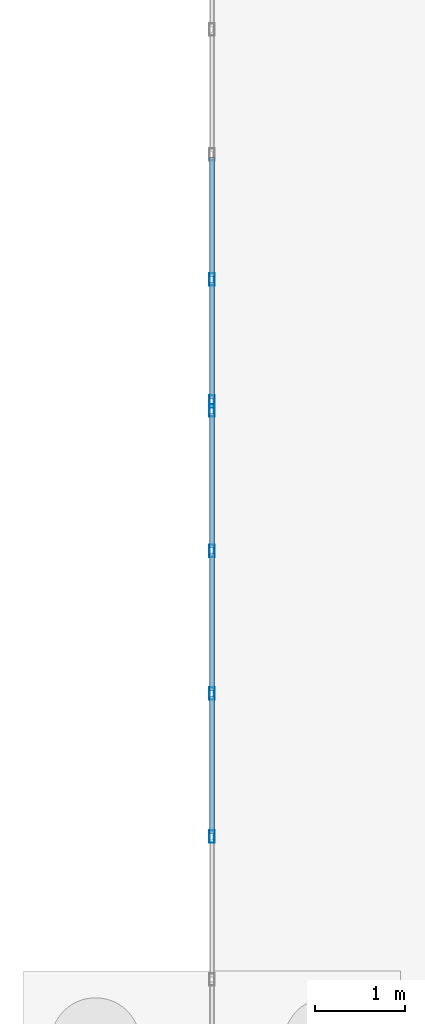
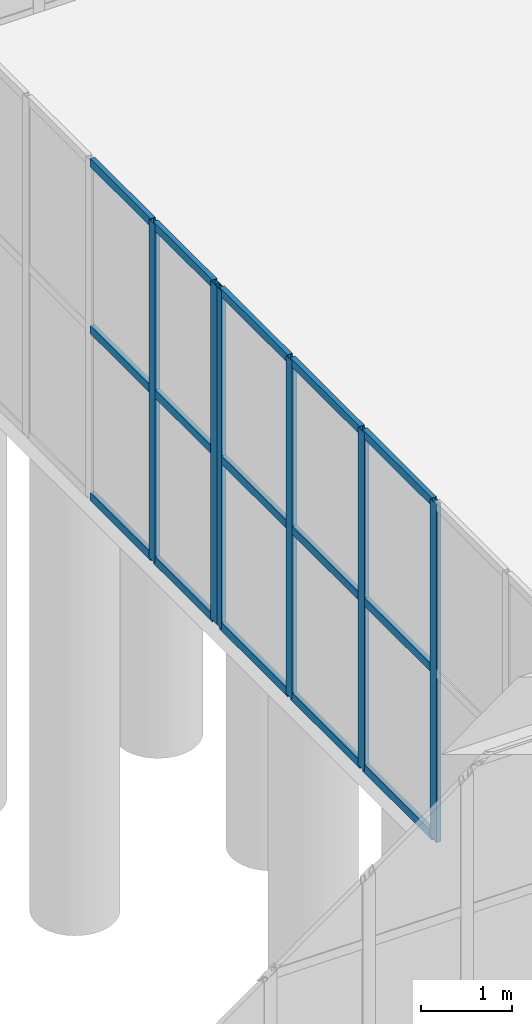
# One storey, part 106 of 192: 21 members, 2 elements without a shape of their own.
"""IFC4 building model written with IfcOpenShell, lengths in metres."""

import ifcopenshell
import ifcopenshell.guid

model = None  # the IFC model being written
_history = None  # IfcOwnerHistory: only IFC2X3 demands one
_inside = {}  # id of a spatial element -> (the spatial element, [elements in it])
_under = {}  # id of a project, library or spatial element -> (it, [spatial elements below it])
_declared = {}  # id of a project -> (the project, [libraries it declares])
_typed = {}  # id of a type object -> (the type object, [elements of that type])
_made_of = {}  # id of a material, layer set ... -> (it, [elements and type objects made of it])


def new_model(schema):
    """Start an empty IFC model of exactly this schema.

    Asked for "IFC4X3", IfcOpenShell would pick the latest addendum, in which some entities
    have other attributes; the version numbers below select the first issue.
    IFC2X3 requires an IfcOwnerHistory on every rooted entity: one is made here for all.
    """
    global model, _history
    if schema == "IFC4X3":
        model = ifcopenshell.file(schema_version=(4, 3, 0, 0))
    else:
        model = ifcopenshell.file(schema=schema)
    _inside.clear()
    _under.clear()
    _declared.clear()
    _typed.clear()
    _made_of.clear()
    _history = None
    if model.schema == "IFC2X3":
        org = make("IfcOrganization", Name="unknown")
        user = make(
            "IfcPersonAndOrganization",
            ThePerson=make("IfcPerson", FamilyName="unknown"),
            TheOrganization=org,
        )
        app = make(
            "IfcApplication",
            ApplicationDeveloper=org,
            Version="unknown",
            ApplicationFullName="unknown",
            ApplicationIdentifier="unknown",
        )
        _history = make(
            "IfcOwnerHistory",
            OwningUser=user,
            OwningApplication=app,
            ChangeAction="ADDED",
            CreationDate=0,
        )
    return model


def make(cls, **values):
    """One entity of the class cls with the attributes given. An attribute that is None is left unset."""
    return model.create_entity(
        cls, **{name: value for name, value in values.items() if value is not None}
    )


def rooted(cls, **values):
    """An entity with a GlobalId (a new one), such as an element, a storey or a relation."""
    return make(cls, GlobalId=ifcopenshell.guid.new(), OwnerHistory=_history, **values)


def si_unit(unit_type, name, prefix=None):
    """IfcSIUnit, for example si_unit("LENGTHUNIT", "METRE", prefix="MILLI")."""
    return make("IfcSIUnit", UnitType=unit_type, Prefix=prefix, Name=name)


def assignment(units):
    """IfcUnitAssignment: the units of a project."""
    return None if units is None else make("IfcUnitAssignment", Units=units)


def point(xyz):
    """IfcCartesianPoint."""
    return None if xyz is None else make("IfcCartesianPoint", Coordinates=xyz)


def direction(xyz):
    """IfcDirection."""
    return None if xyz is None else make("IfcDirection", DirectionRatios=xyz)


def frame(location, z_axis=None, x_axis=None):
    """IfcAxis2Placement3D, a coordinate frame: its origin and axes. An axis left out is left unset."""
    return make(
        "IfcAxis2Placement3D",
        Location=point(location),
        Axis=direction(z_axis),
        RefDirection=direction(x_axis),
    )


def frame_2d(location, x_axis=None):
    """IfcAxis2Placement2D, a coordinate frame in the plane: its origin and x axis."""
    return make(
        "IfcAxis2Placement2D", Location=point(location), RefDirection=direction(x_axis)
    )


def origin():
    """The frame at (0, 0, 0) with its axes left unset."""
    return frame((0.0, 0.0, 0.0))


def origin_2d():
    """The frame at (0, 0) in the plane with its x axis left unset."""
    return frame_2d((0.0, 0.0))


def place(relative_to, where):
    """IfcLocalPlacement: puts the frame where relative to a parent placement (None: the world)."""
    return make(
        "IfcLocalPlacement", PlacementRelTo=relative_to, RelativePlacement=where
    )


def context(
    kind, dimensions, precision=None, world=None, true_north=None, identifier=None
):
    """IfcGeometricRepresentationContext, for example the 3D "Model" context."""
    return make(
        "IfcGeometricRepresentationContext",
        ContextIdentifier=identifier,
        ContextType=kind,
        CoordinateSpaceDimension=dimensions,
        Precision=precision,
        WorldCoordinateSystem=world,
        TrueNorth=true_north,
    )


def subcontext(parent, identifier, kind, view, scale=None):
    """IfcGeometricRepresentationSubContext, for example "Body" below "Model"."""
    return make(
        "IfcGeometricRepresentationSubContext",
        ContextIdentifier=identifier,
        ContextType=kind,
        ParentContext=parent,
        TargetScale=scale,
        TargetView=view,
    )


def project(units=None, contexts=None):
    """IfcProject with its units and contexts."""
    return rooted(
        "IfcProject",
        Name="project",
        RepresentationContexts=contexts,
        UnitsInContext=assignment(units),
    )


def spatial(cls, under=None, at=None, **own):
    """A site, building, storey or space (cls), placed at a placement, below another one or the project."""
    s = rooted(cls, ObjectPlacement=at, **own)
    if under is not None:
        _under.setdefault(under.id(), (under, []))[1].append(s)
    return s


def profile(cls, at=None, kind="AREA", **sizes):
    """A parametric profile (cls). Its sizes go by their IFC names, for example OverallWidth=200.0."""
    return make(cls, ProfileType=kind, Position=at, **sizes)


def hollow_rectangle(**sizes):
    """IfcRectangleHollowProfileDef."""
    return profile("IfcRectangleHollowProfileDef", **sizes)


def extrude(swept, where, along, depth):
    """IfcExtrudedAreaSolid: the profile swept, set in the frame where, extruded along a direction by depth."""
    return make(
        "IfcExtrudedAreaSolid",
        SweptArea=swept,
        Position=where,
        ExtrudedDirection=direction(along),
        Depth=depth,
    )


def shape(context_of_items, identifier, shape_type, items):
    """IfcShapeRepresentation: the items that make up one representation, for example the "Body"."""
    return make(
        "IfcShapeRepresentation",
        ContextOfItems=context_of_items,
        RepresentationIdentifier=identifier,
        RepresentationType=shape_type,
        Items=items,
    )


def material(Name=None, Category=None):
    """IfcMaterial."""
    return make("IfcMaterial", Name=Name, Category=Category)


def layer(
    of_material, thickness, ventilated=None, Name=None, Category=None, Priority=None
):
    """IfcMaterialLayer: one layer of a wall or slab, of a material (None: an air gap)."""
    return make(
        "IfcMaterialLayer",
        Material=of_material,
        LayerThickness=thickness,
        IsVentilated=ventilated,
        Name=Name,
        Category=Category,
        Priority=Priority,
    )


def layer_set(layers, Name=None):
    """IfcMaterialLayerSet."""
    return make("IfcMaterialLayerSet", MaterialLayers=layers, LayerSetName=Name)


def material_profile(
    of_material, cross_section, Name=None, Category=None, Priority=None
):
    """IfcMaterialProfile: a cross section and its material."""
    return make(
        "IfcMaterialProfile",
        Name=Name,
        Material=of_material,
        Profile=cross_section,
        Priority=Priority,
        Category=Category,
    )


def profile_set(profiles, Name=None, composite=None):
    """IfcMaterialProfileSet."""
    return make(
        "IfcMaterialProfileSet",
        Name=Name,
        MaterialProfiles=profiles,
        CompositeProfile=composite,
    )


def made_of(thing, what):
    """Note that an element or type object is made of a material, layer set ...; save() writes the relation."""
    if what is not None:
        _made_of.setdefault(what.id(), (what, []))[1].append(thing)
    return thing


def type_object(cls, material=None, **own):
    """A type object (cls), such as IfcWallType, which elements share."""
    return made_of(rooted(cls, **own), material)


def element(
    cls,
    number,
    at=None,
    inside=None,
    cuts=None,
    type_object=None,
    material=None,
    context=None,
    identifier="Body",
    shape_type=None,
    held_by="IfcProductDefinitionShape",
    body=None,
    shapes=None,
    **own,
):
    """One element of the class cls, such as IfcWall. Its Tag is "e" and its number.

    at: its placement. inside: the storey or other place that contains it. cuts: it is an
    opening in that element (IfcRelVoidsElement). A single representation is given by context,
    identifier, shape_type and body (its items); several are given by shapes. held_by: the class
    of the entity that holds the representations. save() writes the other relations.
    """
    e = rooted(cls, Tag="e%d" % number, ObjectPlacement=at, **own)
    if body is not None:
        shapes = [shape(context, identifier, shape_type, body)]
    if shapes is not None:
        e.Representation = make(held_by, Representations=shapes)
    if inside is not None:
        _inside.setdefault(inside.id(), (inside, []))[1].append(e)
    if cuts is not None:
        rooted(
            "IfcRelVoidsElement", RelatingBuildingElement=cuts, RelatedOpeningElement=e
        )
    if type_object is not None:
        _typed.setdefault(type_object.id(), (type_object, []))[1].append(e)
    return made_of(e, material)


def aggregate(whole, parts):
    """IfcRelAggregates: a whole, such as a stair, and the parts it consists of."""
    return rooted("IfcRelAggregates", RelatingObject=whole, RelatedObjects=parts)


def save(model, path):
    """Write the relations noted so far, then the file.

    IfcRelAggregates (storeys below a building ...), IfcRelContainedInSpatialStructure (elements
    in a storey), IfcRelDefinesByType, IfcRelAssociatesMaterial and IfcRelDeclares: one each for
    every whole, place, type object, material and project.
    """
    for whole, parts in _under.values():
        aggregate(whole, parts)
    for where, things in _inside.values():
        rooted(
            "IfcRelContainedInSpatialStructure",
            RelatedElements=things,
            RelatingStructure=where,
        )
    for kind, things in _typed.values():
        rooted("IfcRelDefinesByType", RelatedObjects=things, RelatingType=kind)
    for what, things in _made_of.values():
        rooted("IfcRelAssociatesMaterial", RelatedObjects=things, RelatingMaterial=what)
    for by, libraries in _declared.values():
        rooted("IfcRelDeclares", RelatingContext=by, RelatedDefinitions=libraries)
    model.write(path)


model = new_model("IFC4")

# Units and contexts
model_context = context("Model", 3, precision=1e-05, world=origin(), true_north=direction((0.0, 1.0)))
body_context = subcontext(model_context, "Body", "Model", "MODEL_VIEW")
ifc_project = project(units=[si_unit("LENGTHUNIT", "METRE"), si_unit("AREAUNIT", "SQUARE_METRE"), si_unit("VOLUMEUNIT", "CUBIC_METRE"), si_unit("PLANEANGLEUNIT", "RADIAN"), si_unit("MASSUNIT", "GRAM", prefix="KILO")], contexts=[model_context])

# Site, building, storey
site_placement = place(None, origin())
site = spatial("IfcSite", under=ifc_project, at=site_placement, CompositionType="ELEMENT")
building_placement = place(site_placement, origin())
building = spatial("IfcBuilding", under=site, at=building_placement, Name="Trelvath General Hospital", CompositionType="ELEMENT")
storey_placement = place(building_placement, origin())
storey = spatial("IfcBuildingStorey", under=building, at=storey_placement, Name="L00", CompositionType="ELEMENT", Elevation=0.0)

# Curtain wall, members
ifc_material_1 = material(Name="Anodised aluminium and low-E glass", Category="aluminium")
ifc_layer_1 = layer(ifc_material_1, 0.139892578125)
ifc_layer_set_1 = layer_set([ifc_layer_1], Name="Anodised aluminium and low-E glass")
curtain_wall_type_1 = type_object("IfcCurtainWallType", Name="CW CrystalCube 797 456 14", PredefinedType="USERDEFINED", material=ifc_layer_set_1)
curtain_wall_1_placement = place(storey_placement, origin())
curtain_wall_1 = element("IfcCurtainWall", 1, at=curtain_wall_1_placement, inside=storey, type_object=curtain_wall_type_1, Name="Crystal Cube Curtain Wall CUBE-E-T0 W5 L00", ObjectType="Unitised Glazed Curtain Wall", PredefinedType="USERDEFINED")
ifc_material_2 = material(Name="Anodised aluminium", Category="aluminium")
ifc_material_profile_1 = material_profile(ifc_material_2, hollow_rectangle(XDim=0.06005859375, YDim=0.139892578125, WallThickness=0.00390625, at=origin_2d()), Name="RHS60x140x4")
ifc_profile_set_1 = profile_set([ifc_material_profile_1], Name="Anodised aluminium")
member_type_1 = type_object("IfcMemberType", Name="CurtainMullion 60x140", PredefinedType="MULLION", material=ifc_profile_set_1)
member_1_placement = place(storey_placement, frame((92.39990234375, 70.798095703125, 0.0), z_axis=(0.0, 0.0, 1.0), x_axis=(-1.0, 0.0, 0.0)))
member_1 = element("IfcMember", 2, at=member_1_placement, type_object=member_type_1, Name="CW-123 mullion 3", PredefinedType="MULLION", context=body_context, shape_type="SweptSolid", body=[
    extrude(hollow_rectangle(XDim=0.06005859375, YDim=0.139892578125, WallThickness=0.00390625, at=origin_2d()), origin(), (0.0, 0.0, 1.0), 4.56005859375),
])
member_2_placement = place(storey_placement, frame((92.39990234375, 72.39208984375, 0.0), z_axis=(0.0, 0.0, 1.0), x_axis=(-1.0, 0.0, 0.0)))
member_2 = element("IfcMember", 3, at=member_2_placement, type_object=member_type_1, Name="CW-123 mullion 4", PredefinedType="MULLION", context=body_context, shape_type="SweptSolid", body=[
    extrude(hollow_rectangle(XDim=0.06005859375, YDim=0.139892578125, WallThickness=0.00390625, at=origin_2d()), origin(), (0.0, 0.0, 1.0), 4.56005859375),
])
member_3_placement = place(storey_placement, frame((92.39990234375, 73.986083984375, 0.0), z_axis=(0.0, 0.0, 1.0), x_axis=(-1.0, 0.0, 0.0)))
member_3 = element("IfcMember", 4, at=member_3_placement, type_object=member_type_1, Name="CW-123 mullion 5", PredefinedType="MULLION", context=body_context, shape_type="SweptSolid", body=[
    extrude(hollow_rectangle(XDim=0.06005859375, YDim=0.139892578125, WallThickness=0.00390625, at=origin_2d()), origin(), (0.0, 0.0, 1.0), 4.56005859375),
])
member_4_placement = place(storey_placement, frame((92.39990234375, 75.550048828125, 0.0), z_axis=(0.0, 0.0, 1.0), x_axis=(-1.0, 0.0, 0.0)))
member_4 = element("IfcMember", 5, at=member_4_placement, type_object=member_type_1, Name="CW-123 mullion 6", PredefinedType="MULLION", context=body_context, shape_type="SweptSolid", body=[
    extrude(hollow_rectangle(XDim=0.06005859375, YDim=0.139892578125, WallThickness=0.00390625, at=origin_2d()), origin(), (0.0, 0.0, 1.0), 4.56005859375),
])

ifc_material_3 = material(Name="Anodised aluminium and low-E glass", Category="aluminium")
ifc_layer_2 = layer(ifc_material_3, 0.139892578125)
ifc_layer_set_2 = layer_set([ifc_layer_2], Name="Anodised aluminium and low-E glass")
curtain_wall_type_2 = type_object("IfcCurtainWallType", Name="CW CrystalCube 836 456 14", PredefinedType="USERDEFINED", material=ifc_layer_set_2)
curtain_wall_2_placement = place(storey_placement, origin())
curtain_wall_2 = element("IfcCurtainWall", 6, at=curtain_wall_2_placement, inside=storey, type_object=curtain_wall_type_2, Name="Crystal Cube Curtain Wall CUBE-E-T0 W6 L00", ObjectType="Unitised Glazed Curtain Wall", PredefinedType="USERDEFINED")
member_5_placement = place(storey_placement, frame((92.39990234375, 75.64990234375, 0.0), z_axis=(0.0, 0.0, 1.0), x_axis=(-1.0, 0.0, 0.0)))
member_5 = element("IfcMember", 7, at=member_5_placement, type_object=member_type_1, Name="CW-125 mullion 1", PredefinedType="MULLION", context=body_context, shape_type="SweptSolid", body=[
    extrude(hollow_rectangle(XDim=0.06005859375, YDim=0.139892578125, WallThickness=0.00390625, at=origin_2d()), origin(), (0.0, 0.0, 1.0), 4.56005859375),
])
member_6_placement = place(storey_placement, frame((92.39990234375, 77.013427734375, 0.0), z_axis=(0.0, 0.0, 1.0), x_axis=(-1.0, 0.0, 0.0)))
member_6 = element("IfcMember", 8, at=member_6_placement, type_object=member_type_1, Name="CW-125 mullion 2", PredefinedType="MULLION", context=body_context, shape_type="SweptSolid", body=[
    extrude(hollow_rectangle(XDim=0.06005859375, YDim=0.139892578125, WallThickness=0.00390625, at=origin_2d()), origin(), (0.0, 0.0, 1.0), 4.56005859375),
])

# Member
ifc_material_4 = material(Name="Anodised aluminium", Category="aluminium")
ifc_material_profile_2 = material_profile(ifc_material_4, hollow_rectangle(XDim=0.06005859375, YDim=0.110107421875, WallThickness=0.00390625, at=origin_2d()), Name="RHS60x110x4")
ifc_profile_set_2 = profile_set([ifc_material_profile_2], Name="Anodised aluminium")
member_type_2 = type_object("IfcMemberType", Name="CurtainTransom 60x110", PredefinedType="USERDEFINED", material=ifc_profile_set_2)
member_7_placement = place(storey_placement, frame((92.39990234375, 70.827880859375, 0.030029296875), z_axis=(0.0, 1.0, 0.0), x_axis=(-1.0, 0.0, 0.0)))
member_7 = element("IfcMember", 9, at=member_7_placement, type_object=member_type_2, Name="CW-123 transom 3.1", ObjectType="TRANSOM", PredefinedType="USERDEFINED", context=body_context, shape_type="SweptSolid", body=[
    extrude(hollow_rectangle(XDim=0.06005859375, YDim=0.110107421875, WallThickness=0.00390625, at=origin_2d()), origin(), (0.0, 0.0, 1.0), 1.5341796875),
])

member_8_placement = place(storey_placement, frame((92.39990234375, 70.827880859375, 2.280029296875), z_axis=(0.0, 1.0, 0.0), x_axis=(-1.0, 0.0, 0.0)))
member_8 = element("IfcMember", 10, at=member_8_placement, type_object=member_type_2, Name="CW-123 transom 3.2", ObjectType="TRANSOM", PredefinedType="USERDEFINED", context=body_context, shape_type="SweptSolid", body=[
    extrude(hollow_rectangle(XDim=0.06005859375, YDim=0.110107421875, WallThickness=0.00390625, at=origin_2d()), origin(), (0.0, 0.0, 1.0), 1.5341796875),
])

member_9_placement = place(storey_placement, frame((92.39990234375, 70.827880859375, 4.530029296875), z_axis=(0.0, 1.0, 0.0), x_axis=(-1.0, 0.0, 0.0)))
member_9 = element("IfcMember", 11, at=member_9_placement, type_object=member_type_2, Name="CW-123 transom 3.3", ObjectType="TRANSOM", PredefinedType="USERDEFINED", context=body_context, shape_type="SweptSolid", body=[
    extrude(hollow_rectangle(XDim=0.06005859375, YDim=0.110107421875, WallThickness=0.00390625, at=origin_2d()), origin(), (0.0, 0.0, 1.0), 1.5341796875),
])

member_10_placement = place(storey_placement, frame((92.39990234375, 72.422119140625, 0.030029296875), z_axis=(0.0, 1.0, 0.0), x_axis=(-1.0, 0.0, 0.0)))
member_10 = element("IfcMember", 12, at=member_10_placement, type_object=member_type_2, Name="CW-123 transom 4.1", ObjectType="TRANSOM", PredefinedType="USERDEFINED", context=body_context, shape_type="SweptSolid", body=[
    extrude(hollow_rectangle(XDim=0.06005859375, YDim=0.110107421875, WallThickness=0.00390625, at=origin_2d()), origin(), (0.0, 0.0, 1.0), 1.533935546875),
])

member_11_placement = place(storey_placement, frame((92.39990234375, 72.422119140625, 2.280029296875), z_axis=(0.0, 1.0, 0.0), x_axis=(-1.0, 0.0, 0.0)))
member_11 = element("IfcMember", 13, at=member_11_placement, type_object=member_type_2, Name="CW-123 transom 4.2", ObjectType="TRANSOM", PredefinedType="USERDEFINED", context=body_context, shape_type="SweptSolid", body=[
    extrude(hollow_rectangle(XDim=0.06005859375, YDim=0.110107421875, WallThickness=0.00390625, at=origin_2d()), origin(), (0.0, 0.0, 1.0), 1.533935546875),
])

member_12_placement = place(storey_placement, frame((92.39990234375, 72.422119140625, 4.530029296875), z_axis=(0.0, 1.0, 0.0), x_axis=(-1.0, 0.0, 0.0)))
member_12 = element("IfcMember", 14, at=member_12_placement, type_object=member_type_2, Name="CW-123 transom 4.3", ObjectType="TRANSOM", PredefinedType="USERDEFINED", context=body_context, shape_type="SweptSolid", body=[
    extrude(hollow_rectangle(XDim=0.06005859375, YDim=0.110107421875, WallThickness=0.00390625, at=origin_2d()), origin(), (0.0, 0.0, 1.0), 1.533935546875),
])

member_13_placement = place(storey_placement, frame((92.39990234375, 74.01611328125, 0.030029296875), z_axis=(0.0, 1.0, 0.0), x_axis=(-1.0, 0.0, 0.0)))
member_13 = element("IfcMember", 15, at=member_13_placement, type_object=member_type_2, Name="CW-123 transom 5.1", ObjectType="TRANSOM", PredefinedType="USERDEFINED", context=body_context, shape_type="SweptSolid", body=[
    extrude(hollow_rectangle(XDim=0.06005859375, YDim=0.110107421875, WallThickness=0.00390625, at=origin_2d()), origin(), (0.0, 0.0, 1.0), 1.50390625),
])

member_14_placement = place(storey_placement, frame((92.39990234375, 74.01611328125, 2.280029296875), z_axis=(0.0, 1.0, 0.0), x_axis=(-1.0, 0.0, 0.0)))
member_14 = element("IfcMember", 16, at=member_14_placement, type_object=member_type_2, Name="CW-123 transom 5.2", ObjectType="TRANSOM", PredefinedType="USERDEFINED", context=body_context, shape_type="SweptSolid", body=[
    extrude(hollow_rectangle(XDim=0.06005859375, YDim=0.110107421875, WallThickness=0.00390625, at=origin_2d()), origin(), (0.0, 0.0, 1.0), 1.50390625),
])

member_15_placement = place(storey_placement, frame((92.39990234375, 74.01611328125, 4.530029296875), z_axis=(0.0, 1.0, 0.0), x_axis=(-1.0, 0.0, 0.0)))
member_15 = element("IfcMember", 17, at=member_15_placement, type_object=member_type_2, Name="CW-123 transom 5.3", ObjectType="TRANSOM", PredefinedType="USERDEFINED", context=body_context, shape_type="SweptSolid", body=[
    extrude(hollow_rectangle(XDim=0.06005859375, YDim=0.110107421875, WallThickness=0.00390625, at=origin_2d()), origin(), (0.0, 0.0, 1.0), 1.50390625),
])

aggregate(curtain_wall_1, [member_1, member_2, member_3, member_4, member_7, member_8, member_9, member_10, member_11, member_12, member_13, member_14, member_15])

member_16_placement = place(storey_placement, frame((92.39990234375, 75.679931640625, 0.030029296875), z_axis=(0.0, 1.0, 0.0), x_axis=(-1.0, 0.0, 0.0)))
member_16 = element("IfcMember", 18, at=member_16_placement, type_object=member_type_2, Name="CW-125 transom 1.1", ObjectType="TRANSOM", PredefinedType="USERDEFINED", context=body_context, shape_type="SweptSolid", body=[
    extrude(hollow_rectangle(XDim=0.06005859375, YDim=0.110107421875, WallThickness=0.00390625, at=origin_2d()), origin(), (0.0, 0.0, 1.0), 1.303466796875),
])

member_17_placement = place(storey_placement, frame((92.39990234375, 75.679931640625, 2.280029296875), z_axis=(0.0, 1.0, 0.0), x_axis=(-1.0, 0.0, 0.0)))
member_17 = element("IfcMember", 19, at=member_17_placement, type_object=member_type_2, Name="CW-125 transom 1.2", ObjectType="TRANSOM", PredefinedType="USERDEFINED", context=body_context, shape_type="SweptSolid", body=[
    extrude(hollow_rectangle(XDim=0.06005859375, YDim=0.110107421875, WallThickness=0.00390625, at=origin_2d()), origin(), (0.0, 0.0, 1.0), 1.303466796875),
])

member_18_placement = place(storey_placement, frame((92.39990234375, 75.679931640625, 4.530029296875), z_axis=(0.0, 1.0, 0.0), x_axis=(-1.0, 0.0, 0.0)))
member_18 = element("IfcMember", 20, at=member_18_placement, type_object=member_type_2, Name="CW-125 transom 1.3", ObjectType="TRANSOM", PredefinedType="USERDEFINED", context=body_context, shape_type="SweptSolid", body=[
    extrude(hollow_rectangle(XDim=0.06005859375, YDim=0.110107421875, WallThickness=0.00390625, at=origin_2d()), origin(), (0.0, 0.0, 1.0), 1.303466796875),
])

member_19_placement = place(storey_placement, frame((92.39990234375, 77.043212890625, 0.030029296875), z_axis=(0.0, 1.0, 0.0), x_axis=(-1.0, 0.0, 0.0)))
member_19 = element("IfcMember", 21, at=member_19_placement, type_object=member_type_2, Name="CW-125 transom 2.1", ObjectType="TRANSOM", PredefinedType="USERDEFINED", context=body_context, shape_type="SweptSolid", body=[
    extrude(hollow_rectangle(XDim=0.06005859375, YDim=0.110107421875, WallThickness=0.00390625, at=origin_2d()), origin(), (0.0, 0.0, 1.0), 1.33349609375),
])

member_20_placement = place(storey_placement, frame((92.39990234375, 77.043212890625, 2.280029296875), z_axis=(0.0, 1.0, 0.0), x_axis=(-1.0, 0.0, 0.0)))
member_20 = element("IfcMember", 22, at=member_20_placement, type_object=member_type_2, Name="CW-125 transom 2.2", ObjectType="TRANSOM", PredefinedType="USERDEFINED", context=body_context, shape_type="SweptSolid", body=[
    extrude(hollow_rectangle(XDim=0.06005859375, YDim=0.110107421875, WallThickness=0.00390625, at=origin_2d()), origin(), (0.0, 0.0, 1.0), 1.33349609375),
])

member_21_placement = place(storey_placement, frame((92.39990234375, 77.043212890625, 4.530029296875), z_axis=(0.0, 1.0, 0.0), x_axis=(-1.0, 0.0, 0.0)))
member_21 = element("IfcMember", 23, at=member_21_placement, type_object=member_type_2, Name="CW-125 transom 2.3", ObjectType="TRANSOM", PredefinedType="USERDEFINED", context=body_context, shape_type="SweptSolid", body=[
    extrude(hollow_rectangle(XDim=0.06005859375, YDim=0.110107421875, WallThickness=0.00390625, at=origin_2d()), origin(), (0.0, 0.0, 1.0), 1.33349609375),
])

aggregate(curtain_wall_2, [member_5, member_6, member_16, member_17, member_18, member_19, member_20, member_21])

save(model, "model.ifc")
